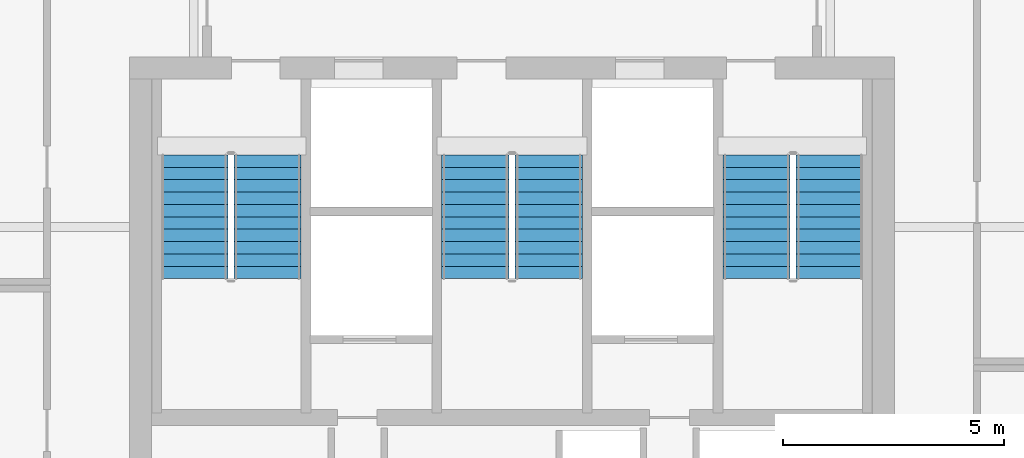
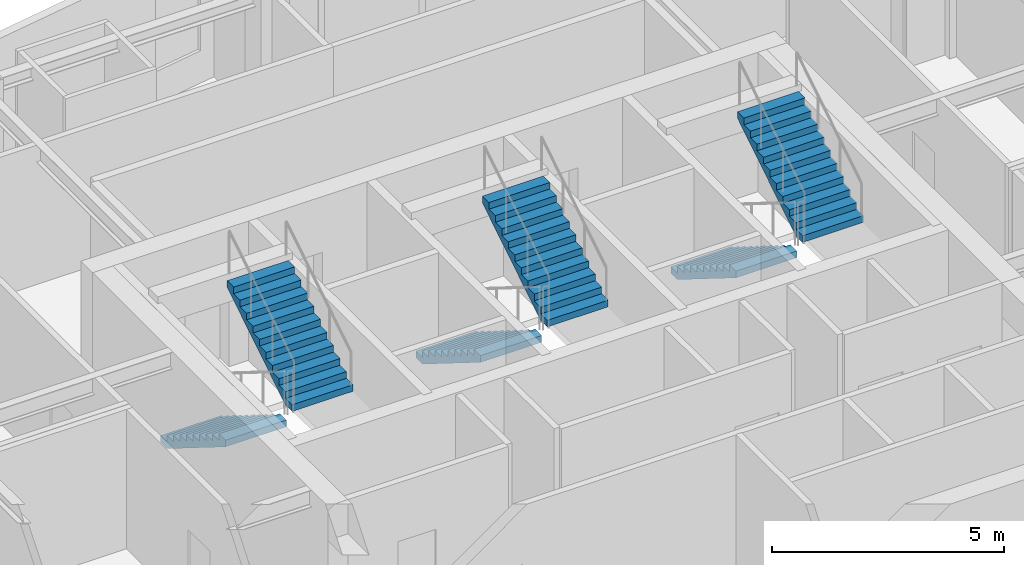
# One storey, part 8 of 9: 6 stair flights, 3 elements without a shape of their own.
"""IFC4 building model written with IfcOpenShell, lengths in metres."""

from ifc_helpers import new_model, si_unit, direction, frame, origin, place, context, subcontext, project, spatial, polyline, outline, extrude, material, type_object, element, aggregate, save


model = new_model("IFC4")

# Units and contexts
model_context = context("Model", 3, precision=1e-05, world=origin(), true_north=direction((0.0, 1.0)))
body_context = subcontext(model_context, "Body", "Model", "MODEL_VIEW")
ifc_project = project(units=[si_unit("LENGTHUNIT", "METRE"), si_unit("AREAUNIT", "SQUARE_METRE"), si_unit("VOLUMEUNIT", "CUBIC_METRE"), si_unit("PLANEANGLEUNIT", "RADIAN"), si_unit("MASSUNIT", "GRAM", prefix="KILO")], contexts=[model_context])

# Site, building, storey
site_placement = place(None, origin())
site = spatial("IfcSite", under=ifc_project, at=site_placement, CompositionType="ELEMENT")
building_placement = place(site_placement, origin())
building = spatial("IfcBuilding", under=site, at=building_placement, Name="Haolan Belvedere Tower", CompositionType="ELEMENT")
storey_placement = place(building_placement, frame((0.0, 0.0, 239.050048828125)))
storey = spatial("IfcBuildingStorey", under=building, at=storey_placement, Name="L60", CompositionType="ELEMENT", Elevation=239.050048828125)

# Stair, stair flights
ifc_material = material(Name="Concrete C40/50", Category="concrete")
stair_type = type_object("IfcStairType", Name="STR-DL-22R-175", PredefinedType="HALF_TURN_STAIR", material=ifc_material)
stair_1_placement = place(storey_placement, origin())
stair_1 = element("IfcStair", 1, at=stair_1_placement, inside=storey, type_object=stair_type, Name="L60 Smokeproof Core Exit Stair ST1", PredefinedType="HALF_TURN_STAIR")
stair_flight_type = type_object("IfcStairFlightType", Name="SFL-DL-11R-175", PredefinedType="STRAIGHT", material=ifc_material)
stair_flight_1_placement = place(storey_placement, frame((31.2099609375, 41.22998046875, 0.0), z_axis=(0.0, 0.0, 1.0), x_axis=(0.0, -1.0, 0.0)))
stair_flight_1 = element("IfcStairFlight", 2, at=stair_flight_1_placement, type_object=stair_flight_type, Name="ST1 flight 1", NumberOfRisers=11, NumberOfTreads=10, PredefinedType="STRAIGHT", RiserHeight=0.175, TreadLength=0.28, context=body_context, shape_type="SweptSolid", body=[
    extrude(outline(polyline([(0.0, 0.0), (0.0, 0.175048828125), (0.280029296875, 0.175048828125), (0.280029296875, 0.35009765625), (0.56005859375, 0.35009765625), (0.56005859375, 0.52490234375), (0.840087890625, 0.52490234375), (0.840087890625, 0.699951171875), (1.1201171875, 0.699951171875), (1.1201171875, 0.875), (1.39990234375, 0.875), (1.39990234375, 1.050048828125), (1.679931640625, 1.050048828125), (1.679931640625, 1.22509765625), (1.9599609375, 1.22509765625), (1.9599609375, 1.39990234375), (2.239990234375, 1.39990234375), (2.239990234375, 1.574951171875), (2.52001953125, 1.574951171875), (2.52001953125, 1.75), (2.800048828125, 1.75), (2.800048828125, 1.925048828125), (2.800048828125, 1.5732421875), (0.28271484375, 0.0), (0.0, 0.0)])), frame((0.0, 0.760009765625, 0.0), z_axis=(0.0, -1.0, 0.0), x_axis=(1.0, 0.0, 0.0)), (0.0, 0.0, 1.0), 1.52001953125),
])
stair_flight_2_placement = place(storey_placement, frame((32.8701171875, 38.429931640625, 1.925048828125), z_axis=(0.0, 0.0, 1.0), x_axis=(0.0, 1.0, 0.0)))
stair_flight_2 = element("IfcStairFlight", 3, at=stair_flight_2_placement, type_object=stair_flight_type, Name="ST1 flight 2", NumberOfRisers=11, NumberOfTreads=10, PredefinedType="STRAIGHT", RiserHeight=0.175, TreadLength=0.28, context=body_context, shape_type="SweptSolid", body=[
    extrude(outline(polyline([(0.0, 0.0), (0.0, 0.175048828125), (0.280029296875, 0.175048828125), (0.280029296875, 0.35009765625), (0.56005859375, 0.35009765625), (0.56005859375, 0.52490234375), (0.840087890625, 0.52490234375), (0.840087890625, 0.699951171875), (1.1201171875, 0.699951171875), (1.1201171875, 0.875), (1.39990234375, 0.875), (1.39990234375, 1.050048828125), (1.679931640625, 1.050048828125), (1.679931640625, 1.22509765625), (1.9599609375, 1.22509765625), (1.9599609375, 1.39990234375), (2.239990234375, 1.39990234375), (2.239990234375, 1.574951171875), (2.52001953125, 1.574951171875), (2.52001953125, 1.75), (2.800048828125, 1.75), (2.800048828125, 1.925048828125), (2.800048828125, 1.5732421875), (0.28271484375, 0.0), (0.0, 0.0)])), frame((0.0, 0.760009765625, 0.0), z_axis=(0.0, -1.0, 0.0), x_axis=(1.0, 0.0, 0.0)), (0.0, 0.0, 1.0), 1.52001953125),
])
aggregate(stair_1, [stair_flight_1, stair_flight_2])

stair_2_placement = place(storey_placement, origin())
stair_2 = element("IfcStair", 4, at=stair_2_placement, inside=storey, type_object=stair_type, Name="L60 Smokeproof Core Exit Stair ST3", PredefinedType="HALF_TURN_STAIR")
stair_flight_3_placement = place(storey_placement, frame((37.570068359375, 41.22998046875, 0.0), z_axis=(0.0, 0.0, 1.0), x_axis=(0.0, -1.0, 0.0)))
stair_flight_3 = element("IfcStairFlight", 5, at=stair_flight_3_placement, type_object=stair_flight_type, Name="ST3 flight 1", NumberOfRisers=11, NumberOfTreads=10, PredefinedType="STRAIGHT", RiserHeight=0.175, TreadLength=0.28, context=body_context, shape_type="SweptSolid", body=[
    extrude(outline(polyline([(0.0, 0.0), (0.0, 0.175048828125), (0.280029296875, 0.175048828125), (0.280029296875, 0.35009765625), (0.56005859375, 0.35009765625), (0.56005859375, 0.52490234375), (0.840087890625, 0.52490234375), (0.840087890625, 0.699951171875), (1.1201171875, 0.699951171875), (1.1201171875, 0.875), (1.39990234375, 0.875), (1.39990234375, 1.050048828125), (1.679931640625, 1.050048828125), (1.679931640625, 1.22509765625), (1.9599609375, 1.22509765625), (1.9599609375, 1.39990234375), (2.239990234375, 1.39990234375), (2.239990234375, 1.574951171875), (2.52001953125, 1.574951171875), (2.52001953125, 1.75), (2.800048828125, 1.75), (2.800048828125, 1.925048828125), (2.800048828125, 1.5732421875), (0.28271484375, 0.0), (0.0, 0.0)])), frame((0.0, 0.760009765625, 0.0), z_axis=(0.0, -1.0, 0.0), x_axis=(1.0, 0.0, 0.0)), (0.0, 0.0, 1.0), 1.52001953125),
])
stair_flight_4_placement = place(storey_placement, frame((39.22998046875, 38.429931640625, 1.925048828125), z_axis=(0.0, 0.0, 1.0), x_axis=(0.0, 1.0, 0.0)))
stair_flight_4 = element("IfcStairFlight", 6, at=stair_flight_4_placement, type_object=stair_flight_type, Name="ST3 flight 2", NumberOfRisers=11, NumberOfTreads=10, PredefinedType="STRAIGHT", RiserHeight=0.175, TreadLength=0.28, context=body_context, shape_type="SweptSolid", body=[
    extrude(outline(polyline([(0.0, 0.0), (0.0, 0.175048828125), (0.280029296875, 0.175048828125), (0.280029296875, 0.35009765625), (0.56005859375, 0.35009765625), (0.56005859375, 0.52490234375), (0.840087890625, 0.52490234375), (0.840087890625, 0.699951171875), (1.1201171875, 0.699951171875), (1.1201171875, 0.875), (1.39990234375, 0.875), (1.39990234375, 1.050048828125), (1.679931640625, 1.050048828125), (1.679931640625, 1.22509765625), (1.9599609375, 1.22509765625), (1.9599609375, 1.39990234375), (2.239990234375, 1.39990234375), (2.239990234375, 1.574951171875), (2.52001953125, 1.574951171875), (2.52001953125, 1.75), (2.800048828125, 1.75), (2.800048828125, 1.925048828125), (2.800048828125, 1.5732421875), (0.28271484375, 0.0), (0.0, 0.0)])), frame((0.0, 0.760009765625, 0.0), z_axis=(0.0, -1.0, 0.0), x_axis=(1.0, 0.0, 0.0)), (0.0, 0.0, 1.0), 1.52001953125),
])
aggregate(stair_2, [stair_flight_3, stair_flight_4])

stair_3_placement = place(storey_placement, origin())
stair_3 = element("IfcStair", 7, at=stair_3_placement, inside=storey, type_object=stair_type, Name="L60 Smokeproof Core Exit Stair ST2", PredefinedType="HALF_TURN_STAIR")
stair_flight_5_placement = place(storey_placement, frame((43.929931640625, 41.22998046875, 0.0), z_axis=(0.0, 0.0, 1.0), x_axis=(0.0, -1.0, 0.0)))
stair_flight_5 = element("IfcStairFlight", 8, at=stair_flight_5_placement, type_object=stair_flight_type, Name="ST2 flight 1", NumberOfRisers=11, NumberOfTreads=10, PredefinedType="STRAIGHT", RiserHeight=0.175, TreadLength=0.28, context=body_context, shape_type="SweptSolid", body=[
    extrude(outline(polyline([(0.0, 0.0), (0.0, 0.175048828125), (0.280029296875, 0.175048828125), (0.280029296875, 0.35009765625), (0.56005859375, 0.35009765625), (0.56005859375, 0.52490234375), (0.840087890625, 0.52490234375), (0.840087890625, 0.699951171875), (1.1201171875, 0.699951171875), (1.1201171875, 0.875), (1.39990234375, 0.875), (1.39990234375, 1.050048828125), (1.679931640625, 1.050048828125), (1.679931640625, 1.22509765625), (1.9599609375, 1.22509765625), (1.9599609375, 1.39990234375), (2.239990234375, 1.39990234375), (2.239990234375, 1.574951171875), (2.52001953125, 1.574951171875), (2.52001953125, 1.75), (2.800048828125, 1.75), (2.800048828125, 1.925048828125), (2.800048828125, 1.5732421875), (0.28271484375, 0.0), (0.0, 0.0)])), frame((0.0, 0.760009765625, 0.0), z_axis=(0.0, -1.0, 0.0), x_axis=(1.0, 0.0, 0.0)), (0.0, 0.0, 1.0), 1.52001953125),
])
stair_flight_6_placement = place(storey_placement, frame((45.590087890625, 38.429931640625, 1.925048828125), z_axis=(0.0, 0.0, 1.0), x_axis=(0.0, 1.0, 0.0)))
stair_flight_6 = element("IfcStairFlight", 9, at=stair_flight_6_placement, type_object=stair_flight_type, Name="ST2 flight 2", NumberOfRisers=11, NumberOfTreads=10, PredefinedType="STRAIGHT", RiserHeight=0.175, TreadLength=0.28, context=body_context, shape_type="SweptSolid", body=[
    extrude(outline(polyline([(0.0, 0.0), (0.0, 0.175048828125), (0.280029296875, 0.175048828125), (0.280029296875, 0.35009765625), (0.56005859375, 0.35009765625), (0.56005859375, 0.52490234375), (0.840087890625, 0.52490234375), (0.840087890625, 0.699951171875), (1.1201171875, 0.699951171875), (1.1201171875, 0.875), (1.39990234375, 0.875), (1.39990234375, 1.050048828125), (1.679931640625, 1.050048828125), (1.679931640625, 1.22509765625), (1.9599609375, 1.22509765625), (1.9599609375, 1.39990234375), (2.239990234375, 1.39990234375), (2.239990234375, 1.574951171875), (2.52001953125, 1.574951171875), (2.52001953125, 1.75), (2.800048828125, 1.75), (2.800048828125, 1.925048828125), (2.800048828125, 1.5732421875), (0.28271484375, 0.0), (0.0, 0.0)])), frame((0.0, 0.760009765625, 0.0), z_axis=(0.0, -1.0, 0.0), x_axis=(1.0, 0.0, 0.0)), (0.0, 0.0, 1.0), 1.52001953125),
])
aggregate(stair_3, [stair_flight_5, stair_flight_6])

save(model, "model.ifc")
